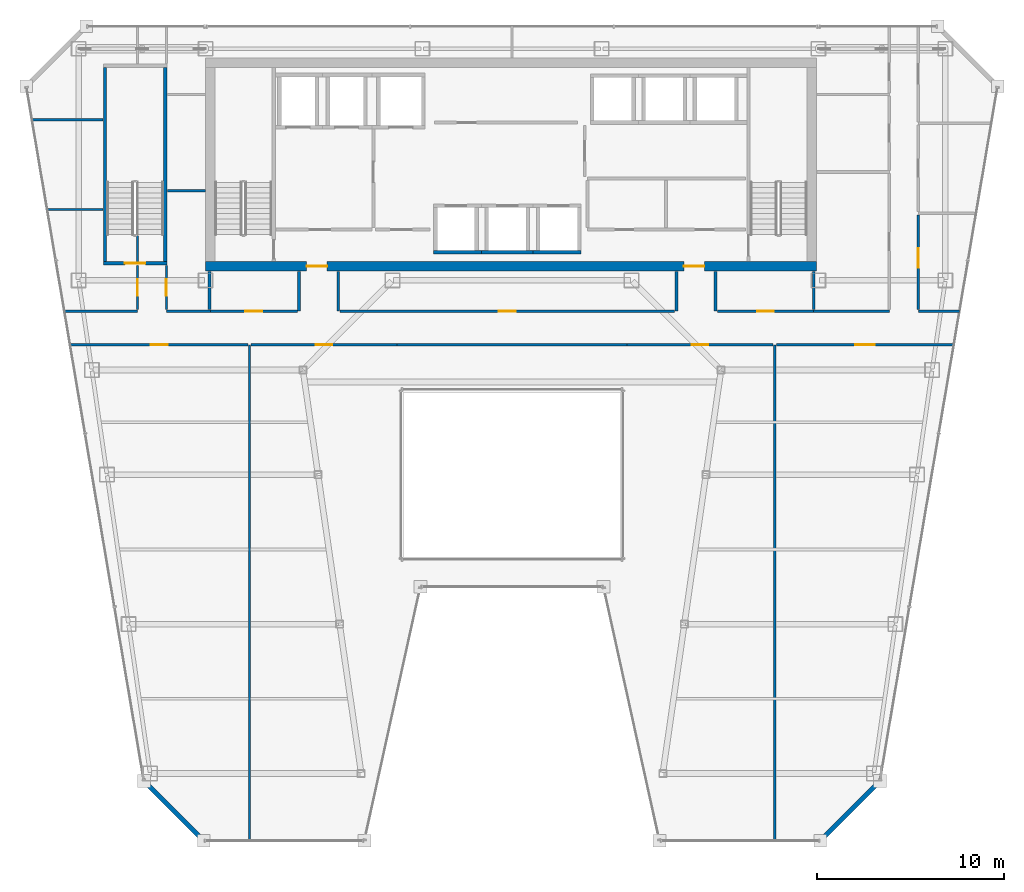
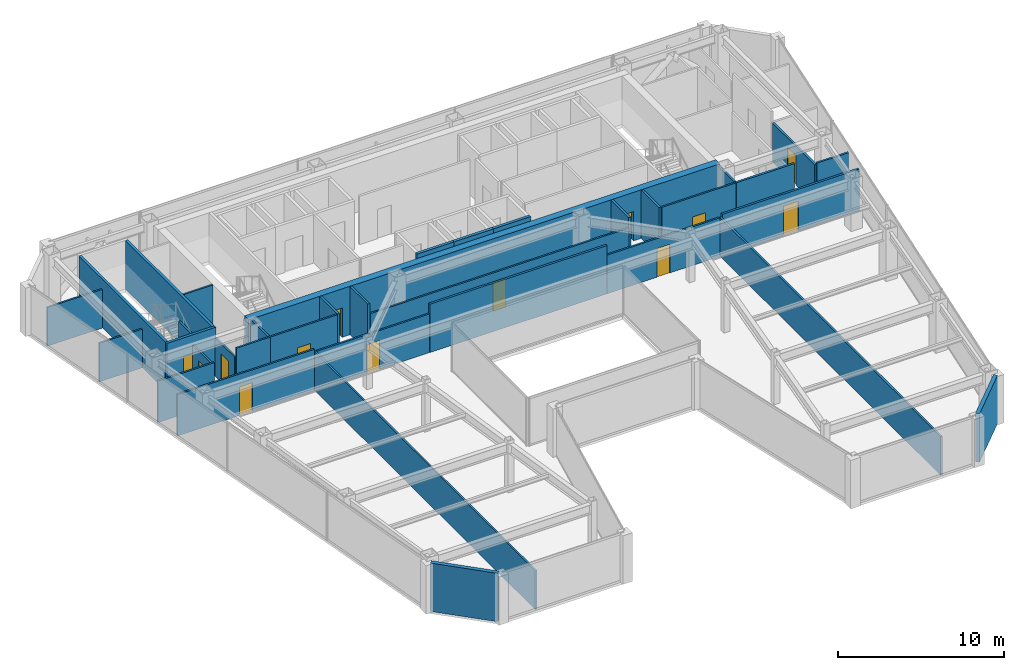
# One storey, part 30 of 35: 36 walls, 13 doors, 13 openings.
"""IFC4 building model written with IfcOpenShell, lengths in metres."""

from ifc_helpers import new_model, si_unit, direction, frame, frame_2d, origin, place, context, subcontext, project, spatial, rectangle, extrude, material, layer, layer_set, type_object, element, fill, save


model = new_model("IFC4")

# Units and contexts
model_context = context("Model", 3, precision=1e-05, world=origin(), true_north=direction((0.0, 1.0)))
body_context = subcontext(model_context, "Body", "Model", "MODEL_VIEW")
ifc_project = project(units=[si_unit("LENGTHUNIT", "METRE"), si_unit("AREAUNIT", "SQUARE_METRE"), si_unit("VOLUMEUNIT", "CUBIC_METRE"), si_unit("PLANEANGLEUNIT", "RADIAN"), si_unit("MASSUNIT", "GRAM", prefix="KILO")], contexts=[model_context])

# Site, building, storey
site_placement = place(None, origin())
site = spatial("IfcSite", under=ifc_project, at=site_placement, CompositionType="ELEMENT")
building_placement = place(site_placement, origin())
building = spatial("IfcBuilding", under=site, at=building_placement, Name="Saevonmaru Cultural Tower", CompositionType="ELEMENT")
storey_placement = place(building_placement, frame((0.0, 0.0, 217.0)))
storey = spatial("IfcBuildingStorey", under=building, at=storey_placement, Name="L50", CompositionType="ELEMENT", Elevation=217.0)

# Wall, openings, doors
ifc_material_1 = material(Name="Concrete C60/75", Category="concrete")
ifc_layer_1 = layer(ifc_material_1, 0.5, Name="Concrete C60/75")
ifc_layer_set_1 = layer_set([ifc_layer_1], Name="Concrete C60/75")
wall_type_1 = type_object("IfcWallType", Name="WL-CORE-500", PredefinedType="SHEAR", material=ifc_layer_set_1)
wall_1_placement = place(storey_placement, frame((13.60009765625, 43.14990234375, 0.0), z_axis=(0.0, 0.0, 1.0), x_axis=(1.0, 0.0, 0.0)))
wall_1 = element("IfcWall", 1, at=wall_1_placement, inside=storey, type_object=wall_type_1, Name="L50 Tower RC core shear wall S", PredefinedType="SHEAR", context=body_context, shape_type="SweptSolid", body=[
    extrude(rectangle(XDim=32.699951171875, YDim=0.5, at=frame_2d((16.35009765625, 0.0))), origin(), (0.0, 0.0, 1.0), 3.550048828125),
])
opening_1_placement = place(wall_1_placement, frame((5.39990234375, 0.0, 0.0)))
opening_1 = element("IfcOpeningElement", 2, at=opening_1_placement, cuts=wall_1, Name="Opening FD-2", PredefinedType="OPENING", context=body_context, shape_type="SweptSolid", body=[
    extrude(rectangle(XDim=1.10009765625, YDim=2.14990234375, at=frame_2d((0.550048828125, 1.074951171875))), frame((0.0, 0.260009765625, 0.0), z_axis=(0.0, -1.0, 0.0), x_axis=(1.0, 0.0, 0.0)), (0.0, 0.0, 1.0), 0.52001953125),
])
opening_2_placement = place(wall_1_placement, frame((25.60009765625, 0.0, 0.0)))
opening_2 = element("IfcOpeningElement", 3, at=opening_2_placement, cuts=wall_1, Name="Opening FD-2", PredefinedType="OPENING", context=body_context, shape_type="SweptSolid", body=[
    extrude(rectangle(XDim=1.10009765625, YDim=2.14990234375, at=frame_2d((0.550048828125, 1.074951171875))), frame((0.0, 0.260009765625, 0.0), z_axis=(0.0, -1.0, 0.0), x_axis=(1.0, 0.0, 0.0)), (0.0, 0.0, 1.0), 0.52001953125),
])
ifc_material_2 = material(Name="Satin Bronze Anodised Aluminium", Category="aluminium")
door_type_1 = type_object("IfcDoorType", Name="DR-FD60-1100", OperationType="SINGLE_SWING_LEFT", PredefinedType="DOOR", material=ifc_material_2)
door_1_placement = place(opening_1_placement, origin())
door_1 = element("IfcDoor", 4, at=door_1_placement, inside=storey, type_object=door_type_1, Name="L50 Core West Lobby Fire Door", OperationType="SINGLE_SWING_LEFT", OverallHeight=2.14990234375, OverallWidth=1.10009765625, PredefinedType="DOOR", context=body_context, shape_type="SweptSolid", body=[
    extrude(rectangle(XDim=1.10009765625, YDim=2.14990234375, at=frame_2d((0.550048828125, 1.074951171875))), frame((0.0, 0.02490234375, 0.0), z_axis=(0.0, -1.0, 0.0), x_axis=(1.0, 0.0, 0.0)), (0.0, 0.0, 1.0), 0.050048828125),
])
fill(opening_1, door_1)
door_2_placement = place(opening_2_placement, origin())
door_2 = element("IfcDoor", 5, at=door_2_placement, inside=storey, type_object=door_type_1, Name="L50 Core East Lobby Fire Door", OperationType="SINGLE_SWING_LEFT", OverallHeight=2.14990234375, OverallWidth=1.10009765625, PredefinedType="DOOR", context=body_context, shape_type="SweptSolid", body=[
    extrude(rectangle(XDim=1.10009765625, YDim=2.14990234375, at=frame_2d((0.550048828125, 1.074951171875))), frame((0.0, 0.02490234375, 0.0), z_axis=(0.0, -1.0, 0.0), x_axis=(1.0, 0.0, 0.0)), (0.0, 0.0, 1.0), 0.050048828125),
])
fill(opening_2, door_2)

# Walls
ifc_material_3 = material(Name="Granite-Clad Precast Concrete C40/50", Category="masonry")
ifc_layer_2 = layer(ifc_material_3, 0.260009765625, Name="Granite-Clad Precast Concrete C40/50")
ifc_layer_set_2 = layer_set([ifc_layer_2], Name="Granite-Clad Precast Concrete C40/50")
wall_type_2 = type_object("IfcWallType", Name="WL-EXT-SPANDREL-260", PredefinedType="STANDARD", material=ifc_layer_set_2)
for number, where, z_axis, x_axis, name in (
    (6, (10.410888671875, 15.48681640625, 0.0), (0.0, 0.0, 1.0), (0.707135806771, -0.70707775441, 0.0), "L50 Chamfer Corner Spandrel Wall E1"),
    (7, (46.615234375, 12.51318359375, 0.0), (0.0, 0.0, 1.0), (0.707135806771, 0.70707775441, 0.0), "L50 Chamfer Corner Spandrel Wall E7"),
):
    element("IfcWall", number, at=place(storey_placement, frame(where, z_axis=z_axis, x_axis=x_axis)), inside=storey, type_object=wall_type_2, Name=name, PredefinedType="STANDARD", context=body_context, shape_type="SweptSolid", body=[
        extrude(rectangle(XDim=4.20556640625, YDim=0.260009765625, at=frame_2d((2.102783203125, 0.0))), origin(), (0.0, 0.0, 1.0), 3.550048828125),
    ])

# Wall, opening, door
ifc_material_4 = material(Name="Gypsum Fireboard Partition", Category="gypsum")
ifc_layer_3 = layer(ifc_material_4, 0.14990234375, Name="Gypsum Fireboard Partition")
ifc_layer_set_3 = layer_set([ifc_layer_3], Name="Gypsum Fireboard Partition")
wall_type_3 = type_object("IfcWallType", Name="WL-PART-FIRE-150", PredefinedType="PARTITIONING", material=ifc_layer_set_3)
wall_2_placement = place(storey_placement, frame((51.75, 40.83740234375, 0.0), z_axis=(0.0, 0.0, 1.0), x_axis=(0.0, 1.0, 0.0)))
wall_2 = element("IfcWall", 8, at=wall_2_placement, inside=storey, type_object=wall_type_3, Name="L50 Sky Observatory Gallery Corridor Wall", PredefinedType="PARTITIONING", context=body_context, shape_type="SweptSolid", body=[
    extrude(rectangle(XDim=5.0751953125, YDim=0.14990234375, at=frame_2d((2.53759765625, 0.0))), origin(), (0.0, 0.0, 1.0), 2.8349609375),
])
opening_3_placement = place(wall_2_placement, frame((2.23291015625, 0.0, 0.0)))
opening_3 = element("IfcOpeningElement", 9, at=opening_3_placement, cuts=wall_2, Name="Opening ID-1", PredefinedType="OPENING", context=body_context, shape_type="SweptSolid", body=[
    extrude(rectangle(XDim=1.050048828125, YDim=2.14990234375, at=frame_2d((0.52490234375, 1.074951171875))), frame((0.0, 0.0849609375, 0.0), z_axis=(0.0, -1.0, 0.0), x_axis=(1.0, 0.0, 0.0)), (0.0, 0.0, 1.0), 0.169921875),
])
door_type_2 = type_object("IfcDoorType", Name="DR-INT-1050", OperationType="SINGLE_SWING_LEFT", PredefinedType="DOOR", material=ifc_material_2)
door_3_placement = place(opening_3_placement, origin())
door_3 = element("IfcDoor", 10, at=door_3_placement, inside=storey, type_object=door_type_2, Name="L50 Sky Observatory Gallery Door", OperationType="SINGLE_SWING_LEFT", OverallHeight=2.14990234375, OverallWidth=1.050048828125, PredefinedType="DOOR", context=body_context, shape_type="SweptSolid", body=[
    extrude(rectangle(XDim=1.050048828125, YDim=2.14990234375, at=frame_2d((0.52490234375, 1.074951171875))), frame((0.0, 0.02490234375, 0.0), z_axis=(0.0, -1.0, 0.0), x_axis=(1.0, 0.0, 0.0)), (0.0, 0.0, 1.0), 0.050048828125),
])
fill(opening_3, door_3)

# Walls
wall_3_placement = place(storey_placement, frame((13.800048828125, 40.830078125, 0.0), z_axis=(0.0, 0.0, 1.0), x_axis=(0.0, 1.0, 0.0)))
element("IfcWall", 11, at=wall_3_placement, inside=storey, type_object=wall_type_3, Name="L50 Core Portal Side Wall W0", PredefinedType="PARTITIONING", context=body_context, shape_type="SweptSolid", body=[
    extrude(rectangle(XDim=2.0498046875, YDim=0.14990234375, at=frame_2d((1.02490234375, 0.0))), origin(), (0.0, 0.0, 1.0), 3.550048828125),
])
for number, where, z_axis, x_axis, name in (
    (12, (18.60009765625, 40.75, 0.0), (0.0, 0.0, 1.0), (0.0, 1.0, 0.0), "L50 Core Portal Side Wall W1"),
    (13, (20.699951171875, 40.75, 0.0), (0.0, 0.0, 1.0), (0.0, 1.0, 0.0), "L50 Core Portal Side Wall W2"),
    (14, (38.800048828125, 40.75, 0.0), (0.0, 0.0, 1.0), (0.0, 1.0, 0.0), "L50 Core Portal Side Wall E1"),
    (15, (40.89990234375, 40.75, 0.0), (0.0, 0.0, 1.0), (0.0, 1.0, 0.0), "L50 Core Portal Side Wall E2"),
):
    element("IfcWall", number, at=place(storey_placement, frame(where, z_axis=z_axis, x_axis=x_axis)), inside=storey, type_object=wall_type_3, Name=name, PredefinedType="PARTITIONING", context=body_context, shape_type="SweptSolid", body=[
        extrude(rectangle(XDim=2.1298828125, YDim=0.14990234375, at=frame_2d((1.06494140625, 0.0))), origin(), (0.0, 0.0, 1.0), 3.550048828125),
    ])
wall_4_placement = place(storey_placement, frame((23.85009765625, 38.949951171875, 0.0), z_axis=(0.0, 0.0, 1.0), x_axis=(1.0, 0.0, 0.0)))
element("IfcWall", 16, at=wall_4_placement, inside=storey, type_object=wall_type_3, Name="L50 North Atrium Corridor Wall", PredefinedType="PARTITIONING", context=body_context, shape_type="SweptSolid", body=[
    extrude(rectangle(XDim=12.2998046875, YDim=0.14990234375, at=frame_2d((6.14990234375, 0.0))), origin(), (0.0, 0.0, 1.0), 3.550048828125),
])

# Wall, opening, door
wall_5_placement = place(storey_placement, frame((44.1474609375, 38.949951171875, 0.0), z_axis=(0.0, 0.0, 1.0), x_axis=(1.0, 0.0, 0.0)))
wall_5 = element("IfcWall", 17, at=wall_5_placement, inside=storey, type_object=wall_type_3, Name="L50 Sky Observatory Gallery Corridor Wall", PredefinedType="PARTITIONING", context=body_context, shape_type="SweptSolid", body=[
    extrude(rectangle(XDim=9.48974609375, YDim=0.14990234375, at=frame_2d((4.744873046875, 0.0))), origin(), (0.0, 0.0, 1.0), 3.034912109375),
])
opening_4_placement = place(wall_5_placement, frame((4.219970703125, 0.0, 0.0)))
opening_4 = element("IfcOpeningElement", 18, at=opening_4_placement, cuts=wall_5, Name="Opening ID-1", PredefinedType="OPENING", context=body_context, shape_type="SweptSolid", body=[
    extrude(rectangle(XDim=1.050048828125, YDim=2.14990234375, at=frame_2d((0.52490234375, 1.074951171875))), frame((0.0, 0.0849609375, 0.0), z_axis=(0.0, -1.0, 0.0), x_axis=(1.0, 0.0, 0.0)), (0.0, 0.0, 1.0), 0.169921875),
])
door_4_placement = place(opening_4_placement, origin())
door_4 = element("IfcDoor", 19, at=door_4_placement, inside=storey, type_object=door_type_2, Name="L50 Sky Observatory Gallery Door", OperationType="SINGLE_SWING_RIGHT", OverallHeight=2.14990234375, OverallWidth=1.050048828125, PredefinedType="DOOR", context=body_context, shape_type="SweptSolid", body=[
    extrude(rectangle(XDim=1.050048828125, YDim=2.14990234375, at=frame_2d((0.52490234375, 1.074951171875))), frame((0.0, 0.02490234375, 0.0), z_axis=(0.0, -1.0, 0.0), x_axis=(1.0, 0.0, 0.0)), (0.0, 0.0, 1.0), 0.050048828125),
])
fill(opening_4, door_4)

# Walls
ifc_layer_4 = layer(ifc_material_4, 0.1201171875, Name="Gypsum Fireboard Partition")
ifc_layer_set_4 = layer_set([ifc_layer_4], Name="Gypsum Fireboard Partition")
wall_type_4 = type_object("IfcWallType", Name="WL-PART-GYP-120", PredefinedType="PARTITIONING", material=ifc_layer_set_4)
wall_6_placement = place(storey_placement, frame((6.045166015625, 40.75, 0.0), z_axis=(0.0, 0.0, 1.0), x_axis=(1.0, 0.0, 0.0)))
element("IfcWall", 20, at=wall_6_placement, inside=storey, type_object=wall_type_4, Name="L50 NW Wing South Wall", PredefinedType="PARTITIONING", context=body_context, shape_type="SweptSolid", body=[
    extrude(rectangle(XDim=3.90478515625, YDim=0.1201171875, at=frame_2d((1.952392578125, 0.0))), origin(), (0.0, 0.0, 1.0), 3.034912109375),
])
wall_7_placement = place(storey_placement, frame((11.5, 40.75, 0.0), z_axis=(0.0, 0.0, 1.0), x_axis=(1.0, 0.0, 0.0)))
element("IfcWall", 21, at=wall_7_placement, inside=storey, type_object=wall_type_4, Name="L50 NW Inner South Wall", PredefinedType="PARTITIONING", context=body_context, shape_type="SweptSolid", body=[
    extrude(rectangle(XDim=2.35009765625, YDim=0.1201171875, at=frame_2d((1.175048828125, 0.0))), origin(), (0.0, 0.0, 1.0), 3.550048828125),
])
wall_8_placement = place(storey_placement, frame((5.122314453125, 46.199951171875, 0.0), z_axis=(0.0, 0.0, 1.0), x_axis=(1.0, 0.0, 0.0)))
element("IfcWall", 22, at=wall_8_placement, inside=storey, type_object=wall_type_4, Name="L50 NW Studio Divider 1", PredefinedType="PARTITIONING", context=body_context, shape_type="SweptSolid", body=[
    extrude(rectangle(XDim=2.977783203125, YDim=0.1201171875, at=frame_2d((1.48876953125, 0.0))), origin(), (0.0, 0.0, 1.0), 2.8349609375),
])
wall_9_placement = place(storey_placement, frame((4.309814453125, 51.0, 0.0), z_axis=(0.0, 0.0, 1.0), x_axis=(1.0, 0.0, 0.0)))
element("IfcWall", 23, at=wall_9_placement, inside=storey, type_object=wall_type_4, Name="L50 NW Studio Divider 2", PredefinedType="PARTITIONING", context=body_context, shape_type="SweptSolid", body=[
    extrude(rectangle(XDim=3.790283203125, YDim=0.1201171875, at=frame_2d((1.89501953125, 0.0))), origin(), (0.0, 0.0, 1.0), 2.8349609375),
])

# Wall, opening, door
wall_10_placement = place(storey_placement, frame((9.949951171875, 40.830078125, 0.0), z_axis=(0.0, 0.0, 1.0), x_axis=(0.0, 1.0, 0.0)))
wall_10 = element("IfcWall", 24, at=wall_10_placement, inside=storey, type_object=wall_type_4, Name="L50 Design Seminar Classroom Corridor Wall", PredefinedType="PARTITIONING", context=body_context, shape_type="SweptSolid", body=[
    extrude(rectangle(XDim=2.369873046875, YDim=0.1201171875, at=frame_2d((1.18505859375, 0.0))), origin(), (0.0, 0.0, 1.0), 2.8349609375),
])
opening_5_placement = place(wall_10_placement, frame((0.735107421875, 0.0, 0.0)))
opening_5 = element("IfcOpeningElement", 25, at=opening_5_placement, cuts=wall_10, Name="Opening ID-2", PredefinedType="OPENING", context=body_context, shape_type="SweptSolid", body=[
    extrude(rectangle(XDim=0.89990234375, YDim=2.10009765625, at=frame_2d((0.449951171875, 1.050048828125))), frame((0.0, 0.070068359375, 0.0), z_axis=(0.0, -1.0, 0.0), x_axis=(1.0, 0.0, 0.0)), (0.0, 0.0, 1.0), 0.14013671875),
])
ifc_material_5 = material(Name="Acoustic Stained Oak Timber", Category="wood")
door_type_3 = type_object("IfcDoorType", Name="DR-INT-900", OperationType="SINGLE_SWING_RIGHT", PredefinedType="DOOR", material=ifc_material_5)
door_5_placement = place(opening_5_placement, origin())
door_5 = element("IfcDoor", 26, at=door_5_placement, inside=storey, type_object=door_type_3, Name="L50 Design Seminar Classroom Door", OperationType="SINGLE_SWING_LEFT", OverallHeight=2.10009765625, OverallWidth=0.89990234375, PredefinedType="DOOR", context=body_context, shape_type="SweptSolid", body=[
    extrude(rectangle(XDim=0.89990234375, YDim=2.10009765625, at=frame_2d((0.449951171875, 1.050048828125))), frame((0.0, 0.02490234375, 0.0), z_axis=(0.0, -1.0, 0.0), x_axis=(1.0, 0.0, 0.0)), (0.0, 0.0, 1.0), 0.050048828125),
])
fill(opening_5, door_5)

# Walls
wall_11_placement = place(storey_placement, frame((9.949951171875, 43.419921875, 0.0), z_axis=(0.0, 0.0, 1.0), x_axis=(0.0, 1.0, 0.0)))
element("IfcWall", 27, at=wall_11_placement, inside=storey, type_object=wall_type_4, Name="L50 Design Seminar Classroom Corridor Wall (2)", PredefinedType="PARTITIONING", context=body_context, shape_type="SweptSolid", body=[
    extrude(rectangle(XDim=1.4501953125, YDim=0.1201171875, at=frame_2d((0.72509765625, 0.0))), origin(), (0.0, 0.0, 1.0), 3.550048828125),
])
wall_12_placement = place(storey_placement, frame((11.550048828125, 47.199951171875, 0.0), z_axis=(0.0, 0.0, 1.0), x_axis=(1.0, 0.0, 0.0)))
element("IfcWall", 28, at=wall_12_placement, inside=storey, type_object=wall_type_4, Name="L50 NW Inner Divider", PredefinedType="PARTITIONING", context=body_context, shape_type="SweptSolid", body=[
    extrude(rectangle(XDim=2.030029296875, YDim=0.1201171875, at=frame_2d((1.01513671875, 0.0))), origin(), (0.0, 0.0, 1.0), 3.550048828125),
])

# Wall, opening, door
wall_13_placement = place(storey_placement, frame((11.5, 40.830078125, 0.0), z_axis=(0.0, 0.0, 1.0), x_axis=(0.0, 1.0, 0.0)))
wall_13 = element("IfcWall", 29, at=wall_13_placement, inside=storey, type_object=wall_type_4, Name="L50 Printmaking Workshop Classroom Corridor Wall", PredefinedType="PARTITIONING", context=body_context, shape_type="SweptSolid", body=[
    extrude(rectangle(XDim=2.369873046875, YDim=0.1201171875, at=frame_2d((1.18505859375, 0.0))), origin(), (0.0, 0.0, 1.0), 2.8349609375),
])
opening_6_placement = place(wall_13_placement, frame((0.735107421875, 0.0, 0.0)))
opening_6 = element("IfcOpeningElement", 30, at=opening_6_placement, cuts=wall_13, Name="Opening ID-2", PredefinedType="OPENING", context=body_context, shape_type="SweptSolid", body=[
    extrude(rectangle(XDim=0.89990234375, YDim=2.10009765625, at=frame_2d((0.449951171875, 1.050048828125))), frame((0.0, 0.070068359375, 0.0), z_axis=(0.0, -1.0, 0.0), x_axis=(1.0, 0.0, 0.0)), (0.0, 0.0, 1.0), 0.14013671875),
])
door_6_placement = place(opening_6_placement, origin())
door_6 = element("IfcDoor", 31, at=door_6_placement, inside=storey, type_object=door_type_3, Name="L50 Printmaking Workshop Classroom Door", OperationType="SINGLE_SWING_RIGHT", OverallHeight=2.10009765625, OverallWidth=0.89990234375, PredefinedType="DOOR", context=body_context, shape_type="SweptSolid", body=[
    extrude(rectangle(XDim=0.89990234375, YDim=2.10009765625, at=frame_2d((0.449951171875, 1.050048828125))), frame((0.0, 0.02490234375, 0.0), z_axis=(0.0, -1.0, 0.0), x_axis=(1.0, 0.0, 0.0)), (0.0, 0.0, 1.0), 0.050048828125),
])
fill(opening_6, door_6)

wall_14_placement = place(storey_placement, frame((13.85009765625, 40.75, 0.0), z_axis=(0.0, 0.0, 1.0), x_axis=(1.0, 0.0, 0.0)))
wall_14 = element("IfcWall", 32, at=wall_14_placement, inside=storey, type_object=wall_type_4, Name="L50 Design Seminar Classroom Corridor Wall", PredefinedType="PARTITIONING", context=body_context, shape_type="SweptSolid", body=[
    extrude(rectangle(XDim=4.65478515625, YDim=0.1201171875, at=frame_2d((2.327392578125, 0.0))), origin(), (0.0, 0.0, 1.0), 3.550048828125),
])
opening_7_placement = place(wall_14_placement, frame((1.876953125, 0.0, 0.0)))
opening_7 = element("IfcOpeningElement", 33, at=opening_7_placement, cuts=wall_14, Name="Opening ID-2", PredefinedType="OPENING", context=body_context, shape_type="SweptSolid", body=[
    extrude(rectangle(XDim=0.89990234375, YDim=2.10009765625, at=frame_2d((0.449951171875, 1.050048828125))), frame((0.0, 0.070068359375, 0.0), z_axis=(0.0, -1.0, 0.0), x_axis=(1.0, 0.0, 0.0)), (0.0, 0.0, 1.0), 0.14013671875),
])
door_7_placement = place(opening_7_placement, origin())
door_7 = element("IfcDoor", 34, at=door_7_placement, inside=storey, type_object=door_type_3, Name="L50 Design Seminar Classroom Door", OperationType="SINGLE_SWING_RIGHT", OverallHeight=2.10009765625, OverallWidth=0.89990234375, PredefinedType="DOOR", context=body_context, shape_type="SweptSolid", body=[
    extrude(rectangle(XDim=0.89990234375, YDim=2.10009765625, at=frame_2d((0.449951171875, 1.050048828125))), frame((0.0, 0.02490234375, 0.0), z_axis=(0.0, -1.0, 0.0), x_axis=(1.0, 0.0, 0.0)), (0.0, 0.0, 1.0), 0.050048828125),
])
fill(opening_7, door_7)

wall_15_placement = place(storey_placement, frame((20.794921875, 40.75, 0.0), z_axis=(0.0, 0.0, 1.0), x_axis=(1.0, 0.0, 0.0)))
wall_15 = element("IfcWall", 35, at=wall_15_placement, inside=storey, type_object=wall_type_4, Name="L50 Printmaking Workshop Classroom Corridor Wall", PredefinedType="PARTITIONING", context=body_context, shape_type="SweptSolid", body=[
    extrude(rectangle(XDim=17.91015625, YDim=0.1201171875, at=frame_2d((8.955078125, 0.0))), origin(), (0.0, 0.0, 1.0), 2.8349609375),
])
opening_8_placement = place(wall_15_placement, frame((8.5048828125, 0.0, 0.0)))
opening_8 = element("IfcOpeningElement", 36, at=opening_8_placement, cuts=wall_15, Name="Opening ID-2", PredefinedType="OPENING", context=body_context, shape_type="SweptSolid", body=[
    extrude(rectangle(XDim=0.89990234375, YDim=2.10009765625, at=frame_2d((0.449951171875, 1.050048828125))), frame((0.0, 0.070068359375, 0.0), z_axis=(0.0, -1.0, 0.0), x_axis=(1.0, 0.0, 0.0)), (0.0, 0.0, 1.0), 0.14013671875),
])
door_8_placement = place(opening_8_placement, origin())
door_8 = element("IfcDoor", 37, at=door_8_placement, inside=storey, type_object=door_type_3, Name="L50 Printmaking Workshop Classroom Door", OperationType="SINGLE_SWING_LEFT", OverallHeight=2.10009765625, OverallWidth=0.89990234375, PredefinedType="DOOR", context=body_context, shape_type="SweptSolid", body=[
    extrude(rectangle(XDim=0.89990234375, YDim=2.10009765625, at=frame_2d((0.449951171875, 1.050048828125))), frame((0.0, 0.02490234375, 0.0), z_axis=(0.0, -1.0, 0.0), x_axis=(1.0, 0.0, 0.0)), (0.0, 0.0, 1.0), 0.050048828125),
])
fill(opening_8, door_8)

wall_16_placement = place(storey_placement, frame((40.9951171875, 40.75, 0.0), z_axis=(0.0, 0.0, 1.0), x_axis=(1.0, 0.0, 0.0)))
wall_16 = element("IfcWall", 38, at=wall_16_placement, inside=storey, type_object=wall_type_4, Name="L50 Typography Design Classroom Corridor Wall", PredefinedType="PARTITIONING", context=body_context, shape_type="SweptSolid", body=[
    extrude(rectangle(XDim=5.15478515625, YDim=0.1201171875, at=frame_2d((2.577392578125, 0.0))), origin(), (0.0, 0.0, 1.0), 3.550048828125),
])
opening_9_placement = place(wall_16_placement, frame((2.1279296875, 0.0, 0.0)))
opening_9 = element("IfcOpeningElement", 39, at=opening_9_placement, cuts=wall_16, Name="Opening ID-2", PredefinedType="OPENING", context=body_context, shape_type="SweptSolid", body=[
    extrude(rectangle(XDim=0.89990234375, YDim=2.10009765625, at=frame_2d((0.449951171875, 1.050048828125))), frame((0.0, 0.070068359375, 0.0), z_axis=(0.0, -1.0, 0.0), x_axis=(1.0, 0.0, 0.0)), (0.0, 0.0, 1.0), 0.14013671875),
])
door_9_placement = place(opening_9_placement, origin())
door_9 = element("IfcDoor", 40, at=door_9_placement, inside=storey, type_object=door_type_3, Name="L50 Typography Design Classroom Door", OperationType="SINGLE_SWING_RIGHT", OverallHeight=2.10009765625, OverallWidth=0.89990234375, PredefinedType="DOOR", context=body_context, shape_type="SweptSolid", body=[
    extrude(rectangle(XDim=0.89990234375, YDim=2.10009765625, at=frame_2d((0.449951171875, 1.050048828125))), frame((0.0, 0.02490234375, 0.0), z_axis=(0.0, -1.0, 0.0), x_axis=(1.0, 0.0, 0.0)), (0.0, 0.0, 1.0), 0.050048828125),
])
fill(opening_9, door_9)

# Wall
wall_17_placement = place(storey_placement, frame((15.93994140625, 12.405029296875, 0.0), z_axis=(0.0, 0.0, 1.0), x_axis=(0.0, 1.0, 0.0)))
element("IfcWall", 41, at=wall_17_placement, inside=storey, type_object=wall_type_4, Name="L50 West Bay Divider 1", PredefinedType="PARTITIONING", context=body_context, shape_type="SweptSolid", body=[
    extrude(rectangle(XDim=26.544921875, YDim=0.1201171875, at=frame_2d((13.2724609375, 0.0))), origin(), (0.0, 0.0, 1.0), 2.8349609375),
])

# Wall, opening, door
wall_18_placement = place(storey_placement, frame((6.36279296875, 38.949951171875, 0.0), z_axis=(0.0, 0.0, 1.0), x_axis=(1.0, 0.0, 0.0)))
wall_18 = element("IfcWall", 42, at=wall_18_placement, inside=storey, type_object=wall_type_4, Name="L50 Design Seminar Classroom Corridor Wall", PredefinedType="PARTITIONING", context=body_context, shape_type="SweptSolid", body=[
    extrude(rectangle(XDim=9.497314453125, YDim=0.1201171875, at=frame_2d((4.74853515625, 0.0))), origin(), (0.0, 0.0, 1.0), 3.034912109375),
])
opening_10_placement = place(wall_18_placement, frame((4.299072265625, 0.0, 0.0)))
opening_10 = element("IfcOpeningElement", 43, at=opening_10_placement, cuts=wall_18, Name="Opening ID-2", PredefinedType="OPENING", context=body_context, shape_type="SweptSolid", body=[
    extrude(rectangle(XDim=0.89990234375, YDim=2.10009765625, at=frame_2d((0.449951171875, 1.050048828125))), frame((0.0, 0.070068359375, 0.0), z_axis=(0.0, -1.0, 0.0), x_axis=(1.0, 0.0, 0.0)), (0.0, 0.0, 1.0), 0.14013671875),
])
door_10_placement = place(opening_10_placement, origin())
door_10 = element("IfcDoor", 44, at=door_10_placement, inside=storey, type_object=door_type_3, Name="L50 Design Seminar Classroom Door", OperationType="SINGLE_SWING_LEFT", OverallHeight=2.10009765625, OverallWidth=0.89990234375, PredefinedType="DOOR", context=body_context, shape_type="SweptSolid", body=[
    extrude(rectangle(XDim=0.89990234375, YDim=2.10009765625, at=frame_2d((0.449951171875, 1.050048828125))), frame((0.0, 0.02490234375, 0.0), z_axis=(0.0, -1.0, 0.0), x_axis=(1.0, 0.0, 0.0)), (0.0, 0.0, 1.0), 0.050048828125),
])
fill(opening_10, door_10)

wall_19_placement = place(storey_placement, frame((16.02001953125, 38.949951171875, 0.0), z_axis=(0.0, 0.0, 1.0), x_axis=(1.0, 0.0, 0.0)))
wall_19 = element("IfcWall", 45, at=wall_19_placement, inside=storey, type_object=wall_type_4, Name="L50 Printmaking Workshop Classroom Corridor Wall", PredefinedType="PARTITIONING", context=body_context, shape_type="SweptSolid", body=[
    extrude(rectangle(XDim=7.830078125, YDim=0.1201171875, at=frame_2d((3.9150390625, 0.0))), origin(), (0.0, 0.0, 1.0), 2.8349609375),
])
opening_11_placement = place(wall_19_placement, frame((3.465087890625, 0.0, 0.0)))
opening_11 = element("IfcOpeningElement", 46, at=opening_11_placement, cuts=wall_19, Name="Opening ID-2", PredefinedType="OPENING", context=body_context, shape_type="SweptSolid", body=[
    extrude(rectangle(XDim=0.89990234375, YDim=2.10009765625, at=frame_2d((0.449951171875, 1.050048828125))), frame((0.0, 0.070068359375, 0.0), z_axis=(0.0, -1.0, 0.0), x_axis=(1.0, 0.0, 0.0)), (0.0, 0.0, 1.0), 0.14013671875),
])
door_11_placement = place(opening_11_placement, origin())
door_11 = element("IfcDoor", 47, at=door_11_placement, inside=storey, type_object=door_type_3, Name="L50 Printmaking Workshop Classroom Door", OperationType="SINGLE_SWING_RIGHT", OverallHeight=2.10009765625, OverallWidth=0.89990234375, PredefinedType="DOOR", context=body_context, shape_type="SweptSolid", body=[
    extrude(rectangle(XDim=0.89990234375, YDim=2.10009765625, at=frame_2d((0.449951171875, 1.050048828125))), frame((0.0, 0.02490234375, 0.0), z_axis=(0.0, -1.0, 0.0), x_axis=(1.0, 0.0, 0.0)), (0.0, 0.0, 1.0), 0.050048828125),
])
fill(opening_11, door_11)

wall_20_placement = place(storey_placement, frame((36.14990234375, 38.949951171875, 0.0), z_axis=(0.0, 0.0, 1.0), x_axis=(1.0, 0.0, 0.0)))
wall_20 = element("IfcWall", 48, at=wall_20_placement, inside=storey, type_object=wall_type_4, Name="L50 Typography Design Classroom Corridor Wall", PredefinedType="PARTITIONING", context=body_context, shape_type="SweptSolid", body=[
    extrude(rectangle(XDim=7.822509765625, YDim=0.1201171875, at=frame_2d((3.9111328125, 0.0))), origin(), (0.0, 0.0, 1.0), 2.8349609375),
])
opening_12_placement = place(wall_20_placement, frame((3.4609375, 0.0, 0.0)))
opening_12 = element("IfcOpeningElement", 49, at=opening_12_placement, cuts=wall_20, Name="Opening ID-2", PredefinedType="OPENING", context=body_context, shape_type="SweptSolid", body=[
    extrude(rectangle(XDim=0.89990234375, YDim=2.10009765625, at=frame_2d((0.449951171875, 1.050048828125))), frame((0.0, 0.070068359375, 0.0), z_axis=(0.0, -1.0, 0.0), x_axis=(1.0, 0.0, 0.0)), (0.0, 0.0, 1.0), 0.14013671875),
])
door_12_placement = place(opening_12_placement, origin())
door_12 = element("IfcDoor", 50, at=door_12_placement, inside=storey, type_object=door_type_3, Name="L50 Typography Design Classroom Door", OperationType="SINGLE_SWING_LEFT", OverallHeight=2.10009765625, OverallWidth=0.89990234375, PredefinedType="DOOR", context=body_context, shape_type="SweptSolid", body=[
    extrude(rectangle(XDim=0.89990234375, YDim=2.10009765625, at=frame_2d((0.449951171875, 1.050048828125))), frame((0.0, 0.02490234375, 0.0), z_axis=(0.0, -1.0, 0.0), x_axis=(1.0, 0.0, 0.0)), (0.0, 0.0, 1.0), 0.050048828125),
])
fill(opening_12, door_12)

# Walls
ifc_layer_5 = layer(ifc_material_4, 0.135009765625, Name="Gypsum Fireboard Partition")
ifc_layer_set_5 = layer_set([ifc_layer_5], Name="Gypsum Fireboard Partition")
wall_type_5 = type_object("IfcWallType", Name="WL-PART-GYP-135", PredefinedType="PARTITIONING", material=ifc_layer_set_5)
wall_21_placement = place(storey_placement, frame((51.75, 40.75, 0.0), z_axis=(0.0, 0.0, 1.0), x_axis=(1.0, 0.0, 0.0)))
element("IfcWall", 51, at=wall_21_placement, inside=storey, type_object=wall_type_5, Name="L50 NE Wing South Wall", PredefinedType="PARTITIONING", context=body_context, shape_type="SweptSolid", body=[
    extrude(rectangle(XDim=2.204833984375, YDim=0.135009765625, at=frame_2d((1.1025390625, 0.0))), origin(), (0.0, 0.0, 1.0), 3.034912109375),
])
wall_22_placement = place(storey_placement, frame((44.06005859375, 12.405029296875, 0.0), z_axis=(0.0, 0.0, 1.0), x_axis=(0.0, 1.0, 0.0)))
element("IfcWall", 52, at=wall_22_placement, inside=storey, type_object=wall_type_5, Name="L50 East Bay Divider 1", PredefinedType="PARTITIONING", context=body_context, shape_type="SweptSolid", body=[
    extrude(rectangle(XDim=26.544921875, YDim=0.135009765625, at=frame_2d((13.2724609375, 0.0))), origin(), (0.0, 0.0, 1.0), 2.8349609375),
])
ifc_layer_6 = layer(ifc_material_4, 0.139892578125, Name="Gypsum Fireboard Partition")
ifc_layer_set_6 = layer_set([ifc_layer_6], Name="Gypsum Fireboard Partition")
wall_type_6 = type_object("IfcWallType", Name="WL-PART-WET-140", PredefinedType="PARTITIONING", material=ifc_layer_set_6)
wall_23_placement = place(storey_placement, frame((46.14990234375, 40.75, 0.0), z_axis=(0.0, 0.0, 1.0), x_axis=(1.0, 0.0, 0.0)))
element("IfcWall", 53, at=wall_23_placement, inside=storey, type_object=wall_type_6, Name="L50 Washroom South Wall", PredefinedType="PARTITIONING", context=body_context, shape_type="SweptSolid", body=[
    extrude(rectangle(XDim=4.050048828125, YDim=0.139892578125, at=frame_2d((2.02490234375, 0.0))), origin(), (0.0, 0.0, 1.0), 3.550048828125),
])
wall_24_placement = place(storey_placement, frame((46.14990234375, 40.840087890625, 0.0), z_axis=(0.0, 0.0, 1.0), x_axis=(0.0, 1.0, 0.0)))
element("IfcWall", 54, at=wall_24_placement, inside=storey, type_object=wall_type_6, Name="L50 Washroom South-West Return", PredefinedType="PARTITIONING", context=body_context, shape_type="SweptSolid", body=[
    extrude(rectangle(XDim=2.039794921875, YDim=0.139892578125, at=frame_2d((1.02001953125, 0.0))), origin(), (0.0, 0.0, 1.0), 3.550048828125),
])
ifc_material_6 = material(Name="Concrete C40/50", Category="concrete")
ifc_layer_7 = layer(ifc_material_6, 0.199951171875, Name="Concrete C40/50")
ifc_layer_set_7 = layer_set([ifc_layer_7], Name="Concrete C40/50")
wall_type_7 = type_object("IfcWallType", Name="WL-SHAFT-200", PredefinedType="SHEAR", material=ifc_layer_set_7)
wall_25_placement = place(storey_placement, frame((25.800048828125, 43.89990234375, 0.0), z_axis=(0.0, 0.0, 1.0), x_axis=(1.0, 0.0, 0.0)))
element("IfcWall", 55, at=wall_25_placement, inside=storey, type_object=wall_type_7, Name="L50 Lift PL-M1 Hoistway Wall S", PredefinedType="SHEAR", context=body_context, shape_type="SweptSolid", body=[
    extrude(rectangle(XDim=2.574951171875, YDim=0.199951171875, at=frame_2d((1.28759765625, 0.0))), origin(), (0.0, 0.0, 1.0), 3.550048828125),
])
wall_26_placement = place(storey_placement, frame((28.375, 43.89990234375, 0.0), z_axis=(0.0, 0.0, 1.0), x_axis=(1.0, 0.0, 0.0)))
element("IfcWall", 56, at=wall_26_placement, inside=storey, type_object=wall_type_7, Name="L50 Lift PL-M2 Hoistway Wall S", PredefinedType="SHEAR", context=body_context, shape_type="SweptSolid", body=[
    extrude(rectangle(XDim=2.75, YDim=0.199951171875, at=frame_2d((1.375, 0.0))), origin(), (0.0, 0.0, 1.0), 3.550048828125),
])
wall_27_placement = place(storey_placement, frame((31.125, 43.89990234375, 0.0), z_axis=(0.0, 0.0, 1.0), x_axis=(1.0, 0.0, 0.0)))
element("IfcWall", 57, at=wall_27_placement, inside=storey, type_object=wall_type_7, Name="L50 Lift PL-M3 Hoistway Wall S", PredefinedType="SHEAR", context=body_context, shape_type="SweptSolid", body=[
    extrude(rectangle(XDim=2.574951171875, YDim=0.199951171875, at=frame_2d((1.28759765625, 0.0))), origin(), (0.0, 0.0, 1.0), 3.550048828125),
])

# Wall, opening, door
ifc_layer_8 = layer(ifc_material_6, 0.179931640625, Name="Concrete C40/50")
ifc_layer_set_8 = layer_set([ifc_layer_8], Name="Concrete C40/50")
wall_type_8 = type_object("IfcWallType", Name="WL-STSHAFT-180", PredefinedType="SHEAR", material=ifc_layer_set_8)
wall_28_placement = place(storey_placement, frame((8.1201171875, 43.31005859375, 0.0), z_axis=(0.0, 0.0, 1.0), x_axis=(1.0, 0.0, 0.0)))
wall_28 = element("IfcWall", 58, at=wall_28_placement, inside=storey, type_object=wall_type_8, Name="L50 Stair ST-3 Structural Shaft Wall 1", PredefinedType="SHEAR", context=body_context, shape_type="SweptSolid", body=[
    extrude(rectangle(XDim=3.409912109375, YDim=0.179931640625, at=frame_2d((1.705078125, 0.0))), origin(), (0.0, 0.0, 1.0), 3.550048828125),
])
opening_13_placement = place(wall_28_placement, frame((1.14990234375, 0.0, 0.0)))
opening_13 = element("IfcOpeningElement", 59, at=opening_13_placement, cuts=wall_28, Name="Opening FD-2", PredefinedType="OPENING", context=body_context, shape_type="SweptSolid", body=[
    extrude(rectangle(XDim=1.10009765625, YDim=2.14990234375, at=frame_2d((0.550048828125, 1.074951171875))), frame((0.0, 0.10009765625, 0.0), z_axis=(0.0, -1.0, 0.0), x_axis=(1.0, 0.0, 0.0)), (0.0, 0.0, 1.0), 0.199951171875),
])
door_13_placement = place(opening_13_placement, origin())
door_13 = element("IfcDoor", 60, at=door_13_placement, inside=storey, type_object=door_type_1, Name="L50 Protected Stair ST-3 Fire Door", OperationType="SINGLE_SWING_LEFT", OverallHeight=2.14990234375, OverallWidth=1.10009765625, PredefinedType="DOOR", context=body_context, shape_type="SweptSolid", body=[
    extrude(rectangle(XDim=1.10009765625, YDim=2.14990234375, at=frame_2d((0.550048828125, 1.074951171875))), frame((0.0, 0.02490234375, 0.0), z_axis=(0.0, -1.0, 0.0), x_axis=(1.0, 0.0, 0.0)), (0.0, 0.0, 1.0), 0.050048828125),
])
fill(opening_13, door_13)

# Walls
for number, where, z_axis, x_axis, name in (
    (61, (11.43994140625, 43.39990234375, 0.0), (0.0, 0.0, 1.0), (0.0, 1.0, 0.0), "L50 Stair ST-3 Structural Shaft Wall 2"),
    (62, (8.2099609375, 53.800048828125, 0.0), (0.0, 0.0, 1.0), (0.0, -1.0, 0.0), "L50 Stair ST-3 Structural Shaft Wall 4"),
):
    element("IfcWall", number, at=place(storey_placement, frame(where, z_axis=z_axis, x_axis=x_axis)), inside=storey, type_object=wall_type_8, Name=name, PredefinedType="SHEAR", context=body_context, shape_type="SweptSolid", body=[
        extrude(rectangle(XDim=10.400146484375, YDim=0.179931640625, at=frame_2d((5.2001953125, 0.0))), origin(), (0.0, 0.0, 1.0), 3.550048828125),
    ])

save(model, "model.ifc")
